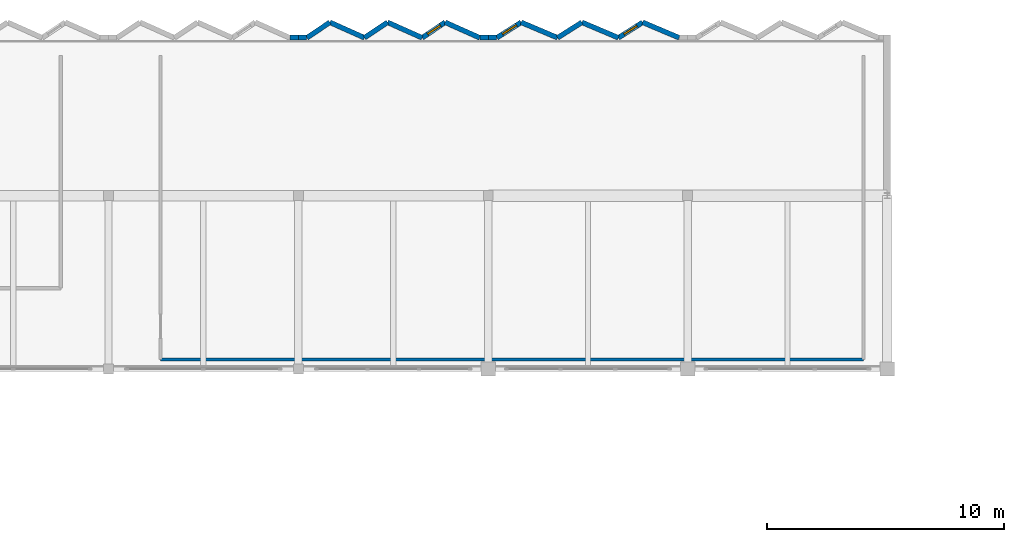
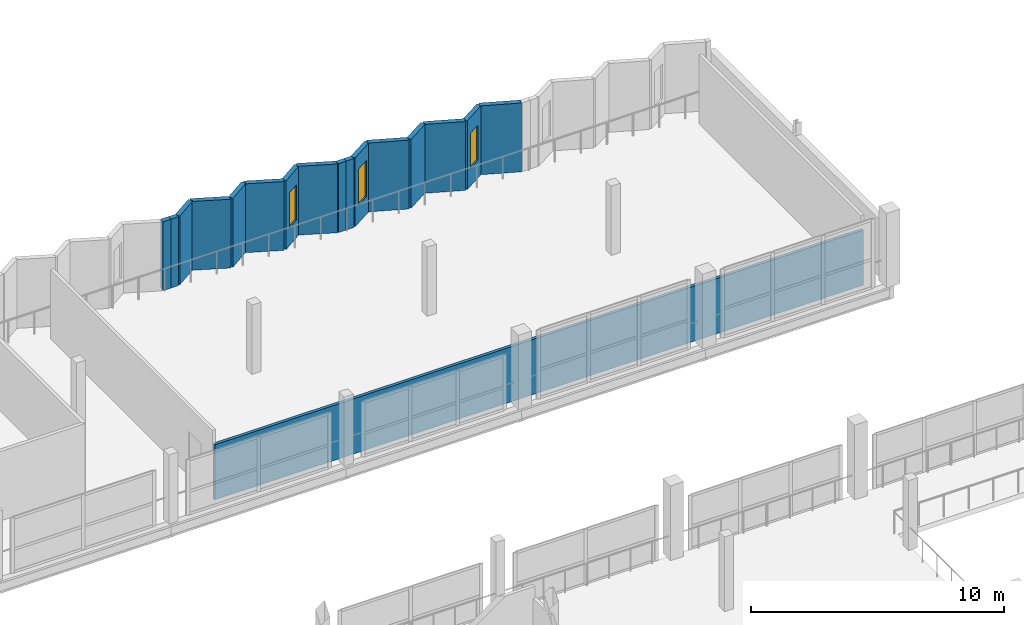
# One storey, part 39 of 51: 17 walls, 3 windows, 3 openings.
"""IFC4 building model written with IfcOpenShell, lengths in metres."""

from ifc_helpers import new_model, si_unit, direction, frame, frame_2d, origin, place, context, subcontext, project, spatial, rectangle, extrude, material, layer, layer_set, type_object, element, fill, save


model = new_model("IFC4")

# Units and contexts
model_context = context("Model", 3, precision=1e-05, world=origin(), true_north=direction((0.0, 1.0)))
body_context = subcontext(model_context, "Body", "Model", "MODEL_VIEW")
ifc_project = project(units=[si_unit("LENGTHUNIT", "METRE"), si_unit("AREAUNIT", "SQUARE_METRE"), si_unit("VOLUMEUNIT", "CUBIC_METRE"), si_unit("PLANEANGLEUNIT", "RADIAN"), si_unit("MASSUNIT", "GRAM", prefix="KILO")], contexts=[model_context])

# Site, building, storey
site_placement = place(None, origin())
site = spatial("IfcSite", under=ifc_project, at=site_placement, CompositionType="ELEMENT")
building_placement = place(site_placement, origin())
building = spatial("IfcBuilding", under=site, at=building_placement, Name="Vharandega Faculty of Natural Sciences", CompositionType="ELEMENT")
storey_placement = place(building_placement, frame((0.0, 0.0, 14.39990234375)))
storey = spatial("IfcBuildingStorey", under=building, at=storey_placement, Name="L03", CompositionType="ELEMENT", Elevation=14.39990234375)

# Walls
ifc_material_1 = material(Name="Precast concrete C40/50", Category="concrete")
ifc_layer_1 = layer(ifc_material_1, 0.2099609375, Name="Precast concrete C40/50")
ifc_layer_set_1 = layer_set([ifc_layer_1], Name="Precast concrete C40/50")
wall_type_1 = type_object("IfcWallType", Name="Commons Sawtooth Street Wall 210", PredefinedType="SOLIDWALL", material=ifc_layer_set_1)
for number, where, z_axis, x_axis, name in (
    (1, (47.64990234375, 110.949951171875, 0.0), (0.0, 0.0, 1.0), (1.0, 0.0, 0.0), "Exterior Wall EW-V2SHL-L03-7R"),
    (2, (48.0, 110.949951171875, 0.0), (0.0, 0.0, 1.0), (1.0, 0.0, 0.0), "Exterior Wall EW-V2SHL-L03-7L"),
    (3, (55.64990234375, 110.949951171875, 0.0), (0.0, 0.0, 1.0), (1.0, 0.0, 0.0), "Exterior Wall EW-V2SHL-L03-8R"),
    (4, (56.0, 110.949951171875, 0.0), (0.0, 0.0, 1.0), (1.0, 0.0, 0.0), "Exterior Wall EW-V2SHL-L03-8L"),
):
    element("IfcWall", number, at=place(storey_placement, frame(where, z_axis=z_axis, x_axis=x_axis)), inside=storey, type_object=wall_type_1, Name=name, PredefinedType="SOLIDWALL", context=body_context, shape_type="SweptSolid", body=[
        extrude(rectangle(XDim=0.35009765625, YDim=0.2099609375, at=frame_2d((0.175048828125, 0.0))), origin(), (0.0, 0.0, 1.0), 3.320068359375),
    ])
wall_1_placement = place(storey_placement, frame((48.360107421875, 110.949951171875, 0.0), z_axis=(0.0, 0.0, 1.0), x_axis=(0.830858868059, 0.556483190553, 0.0)))
element("IfcWall", 5, at=wall_1_placement, inside=storey, type_object=wall_type_1, Name="Exterior Wall EW-V2SAW-L03-19G", PredefinedType="SOLIDWALL", context=body_context, shape_type="SweptSolid", body=[
    extrude(rectangle(XDim=1.168212890625, YDim=0.2099609375, at=frame_2d((0.583984375, 0.0))), origin(), (0.0, 0.0, 1.0), 3.320068359375),
])
wall_2_placement = place(storey_placement, frame((49.330810546875, 111.60009765625, 0.0), z_axis=(0.0, 0.0, 1.0), x_axis=(0.913083928543, -0.407771675618, 0.0)))
element("IfcWall", 6, at=wall_2_placement, inside=storey, type_object=wall_type_1, Name="Exterior Wall EW-V2SAW-L03-19S", PredefinedType="SOLIDWALL", context=body_context, shape_type="SweptSolid", body=[
    extrude(rectangle(XDim=1.594482421875, YDim=0.2099609375, at=frame_2d((0.79736328125, 0.0))), origin(), (0.0, 0.0, 1.0), 3.320068359375),
])
wall_3_placement = place(storey_placement, frame((50.78662109375, 110.949951171875, 0.0), z_axis=(0.0, 0.0, 1.0), x_axis=(0.830858868059, 0.556483190553, 0.0)))
element("IfcWall", 7, at=wall_3_placement, inside=storey, type_object=wall_type_1, Name="Exterior Wall EW-V2SAW-L03-20G", PredefinedType="SOLIDWALL", context=body_context, shape_type="SweptSolid", body=[
    extrude(rectangle(XDim=1.168212890625, YDim=0.2099609375, at=frame_2d((0.583984375, 0.0))), origin(), (0.0, 0.0, 1.0), 3.320068359375),
])
wall_4_placement = place(storey_placement, frame((51.75732421875, 111.60009765625, 0.0), z_axis=(0.0, 0.0, 1.0), x_axis=(0.913109384471, -0.407714669826, 0.0)))
element("IfcWall", 8, at=wall_4_placement, inside=storey, type_object=wall_type_1, Name="Exterior Wall EW-V2SAW-L03-20S", PredefinedType="SOLIDWALL", context=body_context, shape_type="SweptSolid", body=[
    extrude(rectangle(XDim=1.5947265625, YDim=0.2099609375, at=frame_2d((0.79736328125, 0.0))), origin(), (0.0, 0.0, 1.0), 3.320068359375),
])

# Wall, opening, window
wall_5_placement = place(storey_placement, frame((53.21337890625, 110.949951171875, 0.0), z_axis=(0.0, 0.0, 1.0), x_axis=(0.830858868059, 0.556483190553, 0.0)))
wall_5 = element("IfcWall", 9, at=wall_5_placement, inside=storey, type_object=wall_type_1, Name="Exterior Wall EW-V2SAW-L03-21G", PredefinedType="SOLIDWALL", context=body_context, shape_type="SweptSolid", body=[
    extrude(rectangle(XDim=1.168212890625, YDim=0.2099609375, at=frame_2d((0.583984375, 0.0))), origin(), (0.0, 0.0, 1.0), 3.320068359375),
])
opening_1_placement = place(wall_5_placement, frame((0.280029296875, 0.0, 0.85009765625)))
opening_1 = element("IfcOpeningElement", 10, at=opening_1_placement, cuts=wall_5, Name="Opening WN-07", PredefinedType="OPENING", context=body_context, shape_type="SweptSolid", body=[
    extrude(rectangle(XDim=0.64990234375, YDim=1.699951171875, at=frame_2d((0.324951171875, 0.85009765625))), frame((0.0, 0.114990234375, 0.0), z_axis=(0.0, -1.0, 0.0), x_axis=(1.0, 0.0, 0.0)), (0.0, 0.0, 1.0), 0.22998046875),
])
ifc_material_2 = material(Name="Double-glazed solar-control glass in thermally broken aluminium frame", Category="aluminium")
window_type_1 = type_object("IfcWindowType", Name="WIN-COM-065x170", PartitioningType="SINGLE_PANEL", PredefinedType="WINDOW", material=ifc_material_2)
window_1_placement = place(opening_1_placement, origin())
window_1 = element("IfcWindow", 11, at=window_1_placement, inside=storey, type_object=window_type_1, Name="Window WIN-L03-0191", OverallHeight=1.699951171875, OverallWidth=0.64990234375, PartitioningType="SINGLE_PANEL", PredefinedType="WINDOW", context=body_context, shape_type="SweptSolid", body=[
    extrude(rectangle(XDim=0.64990234375, YDim=1.699951171875, at=frame_2d((0.324951171875, 0.85009765625))), frame((0.0, 0.030029296875, 0.0), z_axis=(0.0, -1.0, 0.0), x_axis=(1.0, 0.0, 0.0)), (0.0, 0.0, 1.0), 0.06005859375),
])
fill(opening_1, window_1)

# Wall
wall_6_placement = place(storey_placement, frame((54.18408203125, 111.60009765625, 0.0), z_axis=(0.0, 0.0, 1.0), x_axis=(0.913083928543, -0.407771675618, 0.0)))
element("IfcWall", 12, at=wall_6_placement, inside=storey, type_object=wall_type_1, Name="Exterior Wall EW-V2SAW-L03-21S", PredefinedType="SOLIDWALL", context=body_context, shape_type="SweptSolid", body=[
    extrude(rectangle(XDim=1.594482421875, YDim=0.2099609375, at=frame_2d((0.79736328125, 0.0))), origin(), (0.0, 0.0, 1.0), 3.320068359375),
])

# Wall, opening, window
wall_7_placement = place(storey_placement, frame((56.360107421875, 110.949951171875, 0.0), z_axis=(0.0, 0.0, 1.0), x_axis=(0.844199803058, 0.536028630315, 0.0)))
wall_7 = element("IfcWall", 13, at=wall_7_placement, inside=storey, type_object=wall_type_1, Name="Exterior Wall EW-V2SAW-L03-22G", PredefinedType="SOLIDWALL", context=body_context, shape_type="SweptSolid", body=[
    extrude(rectangle(XDim=1.212890625, YDim=0.2099609375, at=frame_2d((0.6064453125, 0.0))), origin(), (0.0, 0.0, 1.0), 3.320068359375),
])
opening_2_placement = place(wall_7_placement, frame((0.280029296875, 0.0, 0.85009765625)))
opening_2 = element("IfcOpeningElement", 14, at=opening_2_placement, cuts=wall_7, Name="Opening WN-08", PredefinedType="OPENING", context=body_context, shape_type="SweptSolid", body=[
    extrude(rectangle(XDim=0.699951171875, YDim=1.75, at=frame_2d((0.35009765625, 0.875))), frame((0.0, 0.114990234375, 0.0), z_axis=(0.0, -1.0, 0.0), x_axis=(1.0, 0.0, 0.0)), (0.0, 0.0, 1.0), 0.22998046875),
])
ifc_material_3 = material(Name="Double-glazed solar-control glass in thermally broken aluminium frame", Category="aluminium")
window_type_2 = type_object("IfcWindowType", Name="WIN-COM-070x175", PartitioningType="SINGLE_PANEL", PredefinedType="WINDOW", material=ifc_material_3)
window_2_placement = place(opening_2_placement, origin())
window_2 = element("IfcWindow", 15, at=window_2_placement, inside=storey, type_object=window_type_2, Name="Window WIN-L03-0192", OverallHeight=1.75, OverallWidth=0.699951171875, PartitioningType="SINGLE_PANEL", PredefinedType="WINDOW", context=body_context, shape_type="SweptSolid", body=[
    extrude(rectangle(XDim=0.699951171875, YDim=1.75, at=frame_2d((0.35009765625, 0.875))), frame((0.0, 0.030029296875, 0.0), z_axis=(0.0, -1.0, 0.0), x_axis=(1.0, 0.0, 0.0)), (0.0, 0.0, 1.0), 0.06005859375),
])
fill(opening_2, window_2)

# Walls
wall_8_placement = place(storey_placement, frame((57.384033203125, 111.60009765625, 0.0), z_axis=(0.0, 0.0, 1.0), x_axis=(0.920892481687, -0.389816671234, 0.0)))
element("IfcWall", 16, at=wall_8_placement, inside=storey, type_object=wall_type_1, Name="Exterior Wall EW-V2SAW-L03-22S", PredefinedType="SOLIDWALL", context=body_context, shape_type="SweptSolid", body=[
    extrude(rectangle(XDim=1.667724609375, YDim=0.2099609375, at=frame_2d((0.833984375, 0.0))), origin(), (0.0, 0.0, 1.0), 3.320068359375),
])
wall_9_placement = place(storey_placement, frame((58.919921875, 110.949951171875, 0.0), z_axis=(0.0, 0.0, 1.0), x_axis=(0.844257623592, 0.535937557003, 0.0)))
element("IfcWall", 17, at=wall_9_placement, inside=storey, type_object=wall_type_1, Name="Exterior Wall EW-V2SAW-L03-23G", PredefinedType="SOLIDWALL", context=body_context, shape_type="SweptSolid", body=[
    extrude(rectangle(XDim=1.213134765625, YDim=0.2099609375, at=frame_2d((0.6064453125, 0.0))), origin(), (0.0, 0.0, 1.0), 3.320068359375),
])
wall_10_placement = place(storey_placement, frame((59.944091796875, 111.60009765625, 0.0), z_axis=(0.0, 0.0, 1.0), x_axis=(0.920892481687, -0.389816671234, 0.0)))
element("IfcWall", 18, at=wall_10_placement, inside=storey, type_object=wall_type_1, Name="Exterior Wall EW-V2SAW-L03-23S", PredefinedType="SOLIDWALL", context=body_context, shape_type="SweptSolid", body=[
    extrude(rectangle(XDim=1.667724609375, YDim=0.2099609375, at=frame_2d((0.833984375, 0.0))), origin(), (0.0, 0.0, 1.0), 3.320068359375),
])

# Wall, opening, window
wall_11_placement = place(storey_placement, frame((61.47998046875, 110.949951171875, 0.0), z_axis=(0.0, 0.0, 1.0), x_axis=(0.844199803058, 0.536028630315, 0.0)))
wall_11 = element("IfcWall", 19, at=wall_11_placement, inside=storey, type_object=wall_type_1, Name="Exterior Wall EW-V2SAW-L03-24G", PredefinedType="SOLIDWALL", context=body_context, shape_type="SweptSolid", body=[
    extrude(rectangle(XDim=1.212890625, YDim=0.2099609375, at=frame_2d((0.6064453125, 0.0))), origin(), (0.0, 0.0, 1.0), 3.320068359375),
])
opening_3_placement = place(wall_11_placement, frame((0.280029296875, 0.0, 0.85009765625)))
opening_3 = element("IfcOpeningElement", 20, at=opening_3_placement, cuts=wall_11, Name="Opening WN-07", PredefinedType="OPENING", context=body_context, shape_type="SweptSolid", body=[
    extrude(rectangle(XDim=0.64990234375, YDim=1.699951171875, at=frame_2d((0.324951171875, 0.85009765625))), frame((0.0, 0.114990234375, 0.0), z_axis=(0.0, -1.0, 0.0), x_axis=(1.0, 0.0, 0.0)), (0.0, 0.0, 1.0), 0.22998046875),
])
window_3_placement = place(opening_3_placement, origin())
window_3 = element("IfcWindow", 21, at=window_3_placement, inside=storey, type_object=window_type_1, Name="Window WIN-L03-0193", OverallHeight=1.699951171875, OverallWidth=0.64990234375, PartitioningType="SINGLE_PANEL", PredefinedType="WINDOW", context=body_context, shape_type="SweptSolid", body=[
    extrude(rectangle(XDim=0.64990234375, YDim=1.699951171875, at=frame_2d((0.324951171875, 0.85009765625))), frame((0.0, 0.030029296875, 0.0), z_axis=(0.0, -1.0, 0.0), x_axis=(1.0, 0.0, 0.0)), (0.0, 0.0, 1.0), 0.06005859375),
])
fill(opening_3, window_3)

# Walls
wall_12_placement = place(storey_placement, frame((62.50390625, 111.60009765625, 0.0), z_axis=(0.0, 0.0, 1.0), x_axis=(0.920914721045, -0.389764129393, 0.0)))
element("IfcWall", 22, at=wall_12_placement, inside=storey, type_object=wall_type_1, Name="Exterior Wall EW-V2SAW-L03-24S", PredefinedType="SOLIDWALL", context=body_context, shape_type="SweptSolid", body=[
    extrude(rectangle(XDim=1.66796875, YDim=0.2099609375, at=frame_2d((0.833984375, 0.0))), origin(), (0.0, 0.0, 1.0), 3.320068359375),
])
ifc_material_4 = material(Name="Gypsum acoustic partition", Category="gypsum")
ifc_layer_2 = layer(ifc_material_4, 0.139892578125, Name="Gypsum acoustic partition")
ifc_layer_set_2 = layer_set([ifc_layer_2], Name="Gypsum acoustic partition")
wall_type_2 = type_object("IfcWallType", Name="Room Partition Wall 140", PredefinedType="PARTITIONING", material=ifc_layer_set_2)
wall_13_placement = place(storey_placement, frame((42.199951171875, 97.39990234375, 0.0), z_axis=(0.0, 0.0, 1.0), x_axis=(1.0, 0.0, 0.0)))
element("IfcWall", 23, at=wall_13_placement, inside=storey, type_object=wall_type_2, Name="Interior Wall PW-L03-R11S", PredefinedType="PARTITIONING", context=body_context, shape_type="SweptSolid", body=[
    extrude(rectangle(XDim=29.60009765625, YDim=0.139892578125, at=frame_2d((14.800048828125, 0.0))), origin(), (0.0, 0.0, 1.0), 2.66015625),
])

save(model, "model.ifc")
